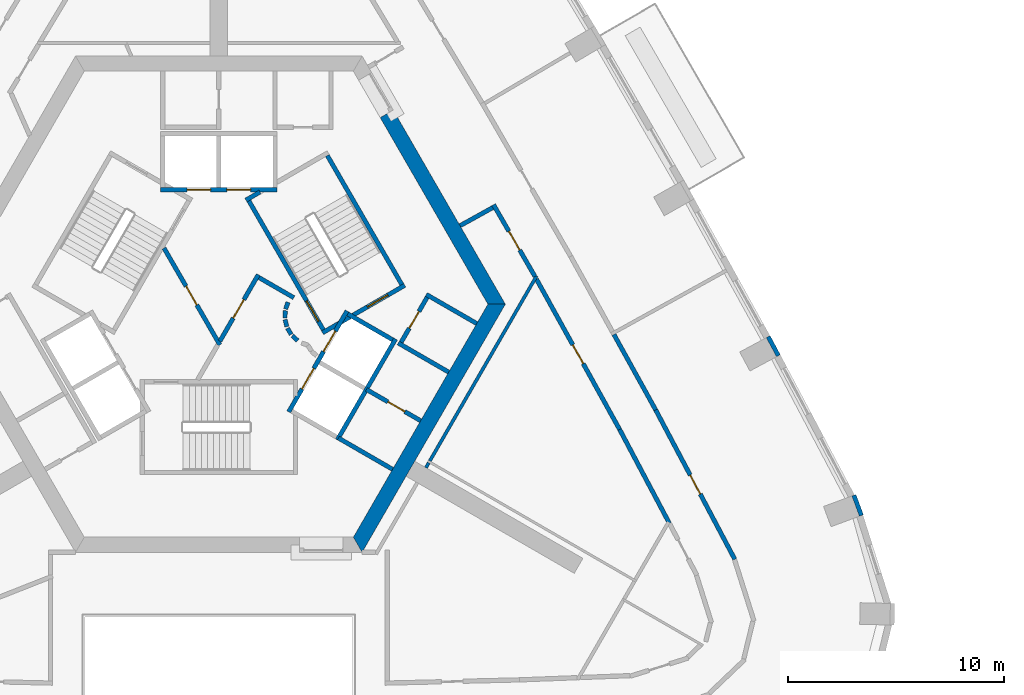
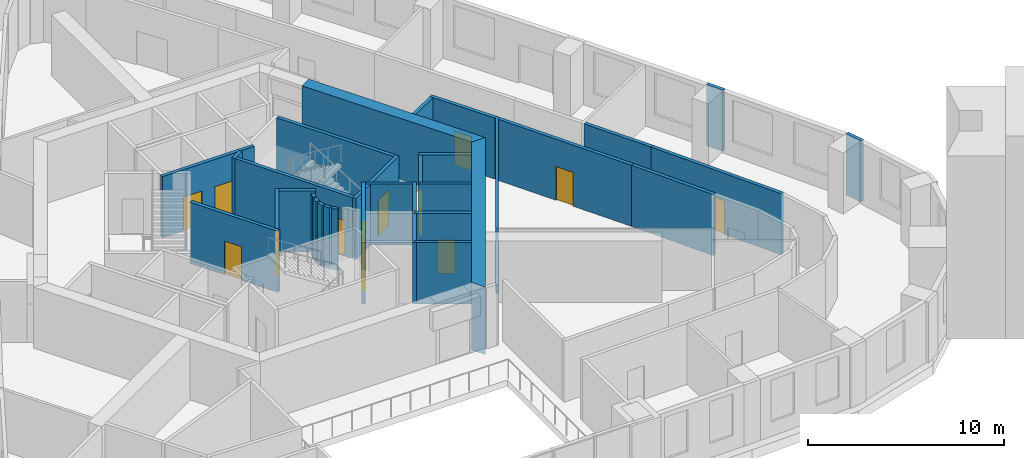
# One storey, part 7 of 13: 33 walls, 13 doors, 13 openings.
"""IFC4 building model written with IfcOpenShell, lengths in metres."""

from ifc_helpers import new_model, si_unit, direction, frame, frame_2d, origin, place, context, subcontext, project, spatial, polyline, rectangle, outline, extrude, material, layer, layer_set, type_object, element, fill, save


model = new_model("IFC4")

# Units and contexts
model_context = context("Model", 3, precision=1e-05, world=origin(), true_north=direction((0.0, 1.0)))
body_context = subcontext(model_context, "Body", "Model", "MODEL_VIEW")
ifc_project = project(units=[si_unit("LENGTHUNIT", "METRE"), si_unit("AREAUNIT", "SQUARE_METRE"), si_unit("VOLUMEUNIT", "CUBIC_METRE"), si_unit("PLANEANGLEUNIT", "RADIAN"), si_unit("MASSUNIT", "GRAM", prefix="KILO")], contexts=[model_context])

# Site, building, storey
site_placement = place(None, origin())
site = spatial("IfcSite", under=ifc_project, at=site_placement, CompositionType="ELEMENT")
building_placement = place(site_placement, origin())
building = spatial("IfcBuilding", under=site, at=building_placement, Name="Entoto Arch Interchange Tower", CompositionType="ELEMENT")
storey_placement = place(building_placement, frame((0.0, 0.0, 215.0)))
storey = spatial("IfcBuildingStorey", under=building, at=storey_placement, Name="L48", CompositionType="ELEMENT", Elevation=215.0)

# Walls
ifc_material_1 = material(Name="Concrete C50/60", Category="concrete")
ifc_layer_1 = layer(ifc_material_1, 0.699951171875)
ifc_layer_set_1 = layer_set([ifc_layer_1], Name="Concrete C50/60")
wall_type_1 = type_object("IfcWallType", Name="Core wall 700 C50/60", PredefinedType="SHEAR", material=ifc_layer_set_1)
wall_1_placement = place(storey_placement, frame((0.0, 0.0, -0.39990234375)))
element("IfcWall", 1, at=wall_1_placement, inside=storey, type_object=wall_type_1, Name="Core wall NE L48", PredefinedType="SHEAR", context=body_context, shape_type="SweptSolid", body=[
    extrude(outline(polyline([(8.083984375, 11.498046875), (7.47802734375, 11.14794921875), (12.470947265625, 2.5), (13.279052734375, 2.5), (8.083984375, 11.498046875)])), origin(), (0.0, 0.0, 1.0), 4.199951171875),
])
wall_2_placement = place(storey_placement, frame((0.0, 0.0, -0.39990234375)))
element("IfcWall", 2, at=wall_2_placement, inside=storey, type_object=wall_type_1, Name="Core wall SE L48", PredefinedType="SHEAR", context=body_context, shape_type="SweptSolid", body=[
    extrude(outline(polyline([(6.639892578125, -9.0), (13.279052734375, 2.5), (12.470947265625, 2.5), (6.235107421875, -8.300048828125), (6.639892578125, -9.0)])), origin(), (0.0, 0.0, 1.0), 4.199951171875),
])

# Wall, openings, doors
ifc_material_2 = material(Name="Concrete C40/50", Category="concrete")
ifc_layer_2 = layer(ifc_material_2, 0.199951171875)
ifc_layer_set_2 = layer_set([ifc_layer_2], Name="Concrete C40/50")
wall_type_2 = type_object("IfcWallType", Name="LIFT SHAFT WALL 200", PredefinedType="STANDARD", material=ifc_layer_set_2)
wall_3_placement = place(storey_placement, frame((2.699951171875, 7.800048828125, 0.0), z_axis=(0.0, 0.0, 1.0), x_axis=(-1.0, 0.0, 0.0)))
wall_3 = element("IfcWall", 3, at=wall_3_placement, inside=storey, type_object=wall_type_2, Name="Shaft wall N1 front", PredefinedType="STANDARD", context=body_context, shape_type="SweptSolid", body=[
    extrude(rectangle(XDim=5.39990234375, YDim=0.199951171875, at=frame_2d((2.699951171875, 0.0))), origin(), (0.0, 0.0, 1.0), 3.800048828125),
])
opening_1_placement = place(wall_3_placement, frame((1.22509765625, 0.0, 0.0)))
opening_1 = element("IfcOpeningElement", 4, at=opening_1_placement, cuts=wall_3, Name="Opening LD-HR1-L48", PredefinedType="OPENING", context=body_context, shape_type="SweptSolid", body=[
    extrude(rectangle(XDim=1.10009765625, YDim=2.10009765625, at=frame_2d((0.550048828125, 1.050048828125))), frame((0.0, 0.10986328125, 0.0), z_axis=(0.0, -1.0, 0.0), x_axis=(1.0, 0.0, 0.0)), (0.0, 0.0, 1.0), 0.219970703125),
])
opening_2_placement = place(wall_3_placement, frame((3.074951171875, 0.0, 0.0)))
opening_2 = element("IfcOpeningElement", 5, at=opening_2_placement, cuts=wall_3, Name="Opening LD-HR2-L48", PredefinedType="OPENING", context=body_context, shape_type="SweptSolid", body=[
    extrude(rectangle(XDim=1.10009765625, YDim=2.10009765625, at=frame_2d((0.550048828125, 1.050048828125))), frame((0.0, 0.10986328125, 0.0), z_axis=(0.0, -1.0, 0.0), x_axis=(1.0, 0.0, 0.0)), (0.0, 0.0, 1.0), 0.219970703125),
])
ifc_material_3 = material(Name="Stainless steel 1.4301 panels", Category="steel")
door_type_1 = type_object("IfcDoorType", Name="LIFT LANDING DOOR LD1 1100x2100", OperationType="SLIDING_TO_LEFT", PredefinedType="DOOR", material=ifc_material_3)
door_1_placement = place(opening_1_placement, origin())
door_1 = element("IfcDoor", 6, at=door_1_placement, inside=storey, type_object=door_type_1, Name="Lift landing door HR1 L48", OperationType="SLIDING_TO_LEFT", OverallHeight=2.10009765625, OverallWidth=1.10009765625, PredefinedType="DOOR", context=body_context, shape_type="SweptSolid", body=[
    extrude(rectangle(XDim=1.10009765625, YDim=2.10009765625, at=frame_2d((0.550048828125, 1.050048828125))), frame((0.0, 0.02490234375, 0.0), z_axis=(0.0, -1.0, 0.0), x_axis=(1.0, 0.0, 0.0)), (0.0, 0.0, 1.0), 0.050048828125),
])
fill(opening_1, door_1)
door_2_placement = place(opening_2_placement, origin())
door_2 = element("IfcDoor", 7, at=door_2_placement, inside=storey, type_object=door_type_1, Name="Lift landing door HR2 L48", OperationType="SLIDING_TO_LEFT", OverallHeight=2.10009765625, OverallWidth=1.10009765625, PredefinedType="DOOR", context=body_context, shape_type="SweptSolid", body=[
    extrude(rectangle(XDim=1.10009765625, YDim=2.10009765625, at=frame_2d((0.550048828125, 1.050048828125))), frame((0.0, 0.02490234375, 0.0), z_axis=(0.0, -1.0, 0.0), x_axis=(1.0, 0.0, 0.0)), (0.0, 0.0, 1.0), 0.050048828125),
])
fill(opening_2, door_2)

wall_4_placement = place(storey_placement, frame((3.239990234375, -2.488037109375, 0.0), z_axis=(0.0, 0.0, 1.0), x_axis=(0.500034260056, 0.866005622828, 0.0)))
wall_4 = element("IfcWall", 8, at=wall_4_placement, inside=storey, type_object=wall_type_2, Name="Shaft wall SE1 front", PredefinedType="STANDARD", context=body_context, shape_type="SweptSolid", body=[
    extrude(rectangle(XDim=5.3994140625, YDim=0.199951171875, at=frame_2d((2.69970703125, 0.0))), origin(), (0.0, 0.0, 1.0), 3.800048828125),
])
opening_3_placement = place(wall_4_placement, frame((3.22509765625, 0.0, 0.0)))
opening_3 = element("IfcOpeningElement", 9, at=opening_3_placement, cuts=wall_4, Name="Opening LD-HR3-L48", PredefinedType="OPENING", context=body_context, shape_type="SweptSolid", body=[
    extrude(rectangle(XDim=1.10009765625, YDim=2.10009765625, at=frame_2d((0.550048828125, 1.050048828125))), frame((0.0, 0.10986328125, 0.0), z_axis=(0.0, -1.0, 0.0), x_axis=(1.0, 0.0, 0.0)), (0.0, 0.0, 1.0), 0.219970703125),
])
opening_4_placement = place(wall_4_placement, frame((1.22509765625, 0.0, 0.0)))
opening_4 = element("IfcOpeningElement", 10, at=opening_4_placement, cuts=wall_4, Name="Opening LD-FF1-L48", PredefinedType="OPENING", context=body_context, shape_type="SweptSolid", body=[
    extrude(rectangle(XDim=1.10009765625, YDim=2.10009765625, at=frame_2d((0.550048828125, 1.050048828125))), frame((0.0, 0.10986328125, 0.0), z_axis=(0.0, -1.0, 0.0), x_axis=(1.0, 0.0, 0.0)), (0.0, 0.0, 1.0), 0.219970703125),
])
door_3_placement = place(opening_3_placement, origin())
door_3 = element("IfcDoor", 11, at=door_3_placement, inside=storey, type_object=door_type_1, Name="Lift landing door HR3 L48", OperationType="SLIDING_TO_LEFT", OverallHeight=2.10009765625, OverallWidth=1.10009765625, PredefinedType="DOOR", context=body_context, shape_type="SweptSolid", body=[
    extrude(rectangle(XDim=1.10009765625, YDim=2.10009765625, at=frame_2d((0.550048828125, 1.050048828125))), frame((0.0, 0.02490234375, 0.0), z_axis=(0.0, -1.0, 0.0), x_axis=(1.0, 0.0, 0.0)), (0.0, 0.0, 1.0), 0.050048828125),
])
fill(opening_3, door_3)
door_4_placement = place(opening_4_placement, origin())
door_4 = element("IfcDoor", 12, at=door_4_placement, inside=storey, type_object=door_type_1, Name="Lift landing door FF1 L48", OperationType="SLIDING_TO_LEFT", OverallHeight=2.10009765625, OverallWidth=1.10009765625, PredefinedType="DOOR", context=body_context, shape_type="SweptSolid", body=[
    extrude(rectangle(XDim=1.10009765625, YDim=2.10009765625, at=frame_2d((0.550048828125, 1.050048828125))), frame((0.0, 0.02490234375, 0.0), z_axis=(0.0, -1.0, 0.0), x_axis=(1.0, 0.0, 0.0)), (0.0, 0.0, 1.0), 0.050048828125),
])
fill(opening_4, door_4)

# Walls
wall_5_placement = place(storey_placement, frame((5.491943359375, -3.7880859375, 0.0), z_axis=(0.0, 0.0, 1.0), x_axis=(0.500034260056, 0.866005622828, 0.0)))
element("IfcWall", 13, at=wall_5_placement, inside=storey, type_object=wall_type_2, Name="Shaft wall SE1 back", PredefinedType="STANDARD", context=body_context, shape_type="SweptSolid", body=[
    extrude(rectangle(XDim=5.3994140625, YDim=0.199951171875, at=frame_2d((2.69970703125, 0.0))), origin(), (0.0, 0.0, 1.0), 3.800048828125),
])
wall_6_placement = place(storey_placement, frame((5.97705078125, 2.052001953125, 0.0), z_axis=(0.0, 0.0, 1.0), x_axis=(0.865973769406, -0.500089422704, 0.0)))
element("IfcWall", 14, at=wall_6_placement, inside=storey, type_object=wall_type_2, Name="Shaft wall SE1 cross 3", PredefinedType="STANDARD", context=body_context, shape_type="SweptSolid", body=[
    extrude(rectangle(XDim=2.3994140625, YDim=0.199951171875, at=frame_2d((1.19970703125, 0.0))), origin(), (0.0, 0.0, 1.0), 3.800048828125),
])
ifc_material_4 = material(Name="Gypsum board partition on steel studs", Category="steel")
ifc_layer_3 = layer(ifc_material_4, 0.14990234375)
ifc_layer_set_3 = layer_set([ifc_layer_3], Name="Gypsum board partition on steel studs")
wall_type_3 = type_object("IfcWallType", Name="PARTITION 150", PredefinedType="PARTITIONING", material=ifc_layer_set_3)
wall_7_placement = place(storey_placement, frame((9.779052734375, -4.761962890625, 0.0), z_axis=(0.0, 0.0, 1.0), x_axis=(0.499990552429, 0.866030858274, 0.0)))
element("IfcWall", 15, at=wall_7_placement, inside=storey, type_object=wall_type_3, Name="wall:L48:p088", PredefinedType="PARTITIONING", context=body_context, shape_type="SweptSolid", body=[
    extrude(rectangle(XDim=9.906005859375, YDim=0.14990234375, at=frame_2d((4.953125, 0.0))), origin(), (0.0, 0.0, 1.0), 3.800048828125),
])
wall_8_placement = place(storey_placement, frame((9.595947265625, -5.0791015625, 0.0), z_axis=(0.0, 0.0, 1.0), x_axis=(0.500782702656, 0.865573038351, 0.0)))
element("IfcWall", 16, at=wall_8_placement, inside=storey, type_object=wall_type_3, Name="wall:L48:p087", PredefinedType="PARTITIONING", context=body_context, shape_type="SweptSolid", body=[
    extrude(rectangle(XDim=0.265625, YDim=0.14990234375, at=frame_2d((0.1328125, 0.0))), origin(), (0.0, 0.0, 1.0), 3.800048828125),
])

# Wall, opening, door
ifc_layer_4 = layer(ifc_material_4, 0.199951171875)
ifc_layer_set_4 = layer_set([ifc_layer_4], Name="Gypsum board partition on steel studs")
wall_type_4 = type_object("IfcWallType", Name="PARTITION 200", PredefinedType="PARTITIONING", material=ifc_layer_set_4)
wall_9_placement = place(storey_placement, frame((14.652099609375, 3.782958984375, 0.0), z_axis=(0.0, 0.0, 1.0), x_axis=(-0.499821427992, 0.866128477837, 0.0)))
wall_9 = element("IfcWall", 17, at=wall_9_placement, inside=storey, type_object=wall_type_4, Name="wall:L48:p004", PredefinedType="PARTITIONING", context=body_context, shape_type="SweptSolid", body=[
    extrude(rectangle(XDim=3.84375, YDim=0.199951171875, at=frame_2d((1.921875, 0.0))), origin(), (0.0, 0.0, 1.0), 3.800048828125),
])
opening_5_placement = place(wall_9_placement, frame((1.4208984375, 0.0, 0.0)))
opening_5 = element("IfcOpeningElement", 18, at=opening_5_placement, cuts=wall_9, Name="Opening L48-D27", PredefinedType="OPENING", context=body_context, shape_type="SweptSolid", body=[
    extrude(rectangle(XDim=1.0, YDim=2.10009765625, at=frame_2d((0.5, 1.050048828125))), frame((0.0, 0.10986328125, 0.0), z_axis=(0.0, -1.0, 0.0), x_axis=(1.0, 0.0, 0.0)), (0.0, 0.0, 1.0), 0.219970703125),
])
ifc_material_5 = material(Name="Timber door leaf in Steel S235 frame", Category="steel")
door_type_2 = type_object("IfcDoorType", Name="DOOR DS-10 1000x2100", OperationType="SINGLE_SWING_LEFT", PredefinedType="DOOR", material=ifc_material_5)
door_5_placement = place(opening_5_placement, origin())
door_5 = element("IfcDoor", 19, at=door_5_placement, inside=storey, type_object=door_type_2, Name="door:L48:27", OperationType="SINGLE_SWING_LEFT", OverallHeight=2.10009765625, OverallWidth=1.0, PredefinedType="DOOR", context=body_context, shape_type="SweptSolid", body=[
    extrude(rectangle(XDim=1.0, YDim=2.10009765625, at=frame_2d((0.5, 1.050048828125))), frame((0.0, 0.02490234375, 0.0), z_axis=(0.0, -1.0, 0.0), x_axis=(1.0, 0.0, 0.0)), (0.0, 0.0, 1.0), 0.050048828125),
])
fill(opening_5, door_5)

# Walls
wall_10_placement = place(storey_placement, frame((12.693115234375, 6.97607421875, 0.0), z_axis=(0.0, 0.0, 1.0), x_axis=(-0.874908151187, -0.484288887944, 0.0)))
element("IfcWall", 20, at=wall_10_placement, inside=storey, type_object=wall_type_4, Name="wall:L48:p005", PredefinedType="PARTITIONING", context=body_context, shape_type="SweptSolid", body=[
    extrude(rectangle(XDim=1.730712890625, YDim=0.199951171875, at=frame_2d((0.865234375, 0.0))), origin(), (0.0, 0.0, 1.0), 3.800048828125),
])
wall_11_placement = place(storey_placement, frame((20.882080078125, -7.658935546875, 0.0), z_axis=(0.0, 0.0, 1.0), x_axis=(-0.468206254133, 0.883619207346, 0.0)))
element("IfcWall", 21, at=wall_11_placement, inside=storey, type_object=wall_type_4, Name="wall:L48:p016", PredefinedType="PARTITIONING", context=body_context, shape_type="SweptSolid", body=[
    extrude(rectangle(XDim=4.9296875, YDim=0.199951171875, at=frame_2d((2.46484375, 0.0))), origin(), (0.0, 0.0, 1.0), 3.800048828125),
])

# Wall, opening, door
wall_12_placement = place(storey_placement, frame((18.573974609375, -3.302978515625, 0.0), z_axis=(0.0, 0.0, 1.0), x_axis=(-0.484239190765, 0.874935658279, 0.0)))
wall_12 = element("IfcWall", 22, at=wall_12_placement, inside=storey, type_object=wall_type_4, Name="wall:L48:p017", PredefinedType="PARTITIONING", context=body_context, shape_type="SweptSolid", body=[
    extrude(rectangle(XDim=7.962890625, YDim=0.199951171875, at=frame_2d((3.9814453125, 0.0))), origin(), (0.0, 0.0, 1.0), 3.800048828125),
])
opening_6_placement = place(wall_12_placement, frame((3.48193359375, 0.0, 0.0)))
opening_6 = element("IfcOpeningElement", 23, at=opening_6_placement, cuts=wall_12, Name="Opening L48-D17", PredefinedType="OPENING", context=body_context, shape_type="SweptSolid", body=[
    extrude(rectangle(XDim=1.0, YDim=2.10009765625, at=frame_2d((0.5, 1.050048828125))), frame((0.0, 0.10986328125, 0.0), z_axis=(0.0, -1.0, 0.0), x_axis=(1.0, 0.0, 0.0)), (0.0, 0.0, 1.0), 0.219970703125),
])
door_6_placement = place(opening_6_placement, origin())
door_6 = element("IfcDoor", 24, at=door_6_placement, inside=storey, type_object=door_type_2, Name="door:L48:17", OperationType="SINGLE_SWING_LEFT", OverallHeight=2.10009765625, OverallWidth=1.0, PredefinedType="DOOR", context=body_context, shape_type="SweptSolid", body=[
    extrude(rectangle(XDim=1.0, YDim=2.10009765625, at=frame_2d((0.5, 1.050048828125))), frame((0.0, 0.02490234375, 0.0), z_axis=(0.0, -1.0, 0.0), x_axis=(1.0, 0.0, 0.0)), (0.0, 0.0, 1.0), 0.050048828125),
])
fill(opening_6, door_6)

# Wall
wall_13_placement = place(storey_placement, frame((18.31201171875, 1.093994140625, 0.0), z_axis=(0.0, 0.0, 1.0), x_axis=(0.484328424129, -0.874886265511, 0.0)))
element("IfcWall", 25, at=wall_13_placement, inside=storey, type_object=wall_type_4, Name="wall:L48:p037", PredefinedType="PARTITIONING", context=body_context, shape_type="SweptSolid", body=[
    extrude(rectangle(XDim=3.9912109375, YDim=0.199951171875, at=frame_2d((1.99560546875, 0.0))), origin(), (0.0, 0.0, 1.0), 3.800048828125),
])

# Wall, opening, door
wall_14_placement = place(storey_placement, frame((20.2451171875, -2.39794921875, 0.0), z_axis=(0.0, 0.0, 1.0), x_axis=(0.468063775621, -0.883694688199, 0.0)))
wall_14 = element("IfcWall", 26, at=wall_14_placement, inside=storey, type_object=wall_type_4, Name="wall:L48:p038", PredefinedType="PARTITIONING", context=body_context, shape_type="SweptSolid", body=[
    extrude(rectangle(XDim=7.83642578125, YDim=0.199951171875, at=frame_2d((3.918212890625, 0.0))), origin(), (0.0, 0.0, 1.0), 3.800048828125),
])
opening_7_placement = place(wall_14_placement, frame((3.41796875, 0.0, 0.0)))
opening_7 = element("IfcOpeningElement", 27, at=opening_7_placement, cuts=wall_14, Name="Opening L48-D03", PredefinedType="OPENING", context=body_context, shape_type="SweptSolid", body=[
    extrude(rectangle(XDim=1.0, YDim=2.10009765625, at=frame_2d((0.5, 1.050048828125))), frame((0.0, 0.10986328125, 0.0), z_axis=(0.0, -1.0, 0.0), x_axis=(1.0, 0.0, 0.0)), (0.0, 0.0, 1.0), 0.219970703125),
])
door_7_placement = place(opening_7_placement, origin())
door_7 = element("IfcDoor", 28, at=door_7_placement, inside=storey, type_object=door_type_2, Name="door:L48:03", OperationType="SINGLE_SWING_LEFT", OverallHeight=2.10009765625, OverallWidth=1.0, PredefinedType="DOOR", context=body_context, shape_type="SweptSolid", body=[
    extrude(rectangle(XDim=1.0, YDim=2.10009765625, at=frame_2d((0.5, 1.050048828125))), frame((0.0, 0.02490234375, 0.0), z_axis=(0.0, -1.0, 0.0), x_axis=(1.0, 0.0, 0.0)), (0.0, 0.0, 1.0), 0.050048828125),
])
fill(opening_7, door_7)

# Wall
wall_15_placement = place(storey_placement, frame((8.052978515625, -5.152099609375, 0.0), z_axis=(0.0, 0.0, 1.0), x_axis=(-0.865808344015, 0.500375770231, 0.0)))
element("IfcWall", 29, at=wall_15_placement, inside=storey, type_object=wall_type_4, Name="wall:L48:p073", PredefinedType="PARTITIONING", context=body_context, shape_type="SweptSolid", body=[
    extrude(rectangle(XDim=2.900146484375, YDim=0.199951171875, at=frame_2d((1.4501953125, 0.0))), origin(), (0.0, 0.0, 1.0), 3.800048828125),
])

# Wall, opening, door
wall_16_placement = place(storey_placement, frame((6.841064453125, -1.450927734375, 0.0), z_axis=(0.0, 0.0, 1.0), x_axis=(0.866220623736, -0.499661716578, 0.0)))
wall_16 = element("IfcWall", 30, at=wall_16_placement, inside=storey, type_object=wall_type_4, Name="wall:L48:p074", PredefinedType="PARTITIONING", context=body_context, shape_type="SweptSolid", body=[
    extrude(rectangle(XDim=2.89990234375, YDim=0.199951171875, at=frame_2d((1.449951171875, 0.0))), origin(), (0.0, 0.0, 1.0), 3.800048828125),
])
opening_8_placement = place(wall_16_placement, frame((1.14990234375, 0.0, 0.0)))
opening_8 = element("IfcOpeningElement", 31, at=opening_8_placement, cuts=wall_16, Name="Opening L48-D32", PredefinedType="OPENING", context=body_context, shape_type="SweptSolid", body=[
    extrude(rectangle(XDim=0.89990234375, YDim=2.10009765625, at=frame_2d((0.449951171875, 1.050048828125))), frame((0.0, 0.10986328125, 0.0), z_axis=(0.0, -1.0, 0.0), x_axis=(1.0, 0.0, 0.0)), (0.0, 0.0, 1.0), 0.219970703125),
])
door_type_3 = type_object("IfcDoorType", Name="DOOR DS-09 900x2100", OperationType="SINGLE_SWING_LEFT", PredefinedType="DOOR", material=ifc_material_5)
door_8_placement = place(opening_8_placement, origin())
door_8 = element("IfcDoor", 32, at=door_8_placement, inside=storey, type_object=door_type_3, Name="door:L48:32", OperationType="SINGLE_SWING_LEFT", OverallHeight=2.10009765625, OverallWidth=0.89990234375, PredefinedType="DOOR", context=body_context, shape_type="SweptSolid", body=[
    extrude(rectangle(XDim=0.89990234375, YDim=2.10009765625, at=frame_2d((0.449951171875, 1.050048828125))), frame((0.0, 0.02490234375, 0.0), z_axis=(0.0, -1.0, 0.0), x_axis=(1.0, 0.0, 0.0)), (0.0, 0.0, 1.0), 0.050048828125),
])
fill(opening_8, door_8)

# Wall
wall_17_placement = place(storey_placement, frame((10.653076171875, -0.64794921875, 0.0), z_axis=(0.0, 0.0, 1.0), x_axis=(-0.866036505625, 0.499980770555, 0.0)))
element("IfcWall", 33, at=wall_17_placement, inside=storey, type_object=wall_type_4, Name="wall:L48:p075", PredefinedType="PARTITIONING", context=body_context, shape_type="SweptSolid", body=[
    extrude(rectangle(XDim=2.69970703125, YDim=0.199951171875, at=frame_2d((1.349853515625, 0.0))), origin(), (0.0, 0.0, 1.0), 3.800048828125),
])

# Wall, opening, door
wall_18_placement = place(storey_placement, frame((8.450927734375, 0.738037109375, 0.0), z_axis=(0.0, 0.0, 1.0), x_axis=(0.499913221443, 0.866075499611, 0.0)))
wall_18 = element("IfcWall", 34, at=wall_18_placement, inside=storey, type_object=wall_type_4, Name="wall:L48:p076", PredefinedType="PARTITIONING", context=body_context, shape_type="SweptSolid", body=[
    extrude(rectangle(XDim=2.400390625, YDim=0.199951171875, at=frame_2d((1.2001953125, 0.0))), origin(), (0.0, 0.0, 1.0), 3.800048828125),
])
opening_9_placement = place(wall_18_placement, frame((0.75, 0.0, 0.0)))
opening_9 = element("IfcOpeningElement", 35, at=opening_9_placement, cuts=wall_18, Name="Opening L48-D33", PredefinedType="OPENING", context=body_context, shape_type="SweptSolid", body=[
    extrude(rectangle(XDim=0.89990234375, YDim=2.10009765625, at=frame_2d((0.449951171875, 1.050048828125))), frame((0.0, 0.10986328125, 0.0), z_axis=(0.0, -1.0, 0.0), x_axis=(1.0, 0.0, 0.0)), (0.0, 0.0, 1.0), 0.219970703125),
])
door_9_placement = place(opening_9_placement, origin())
door_9 = element("IfcDoor", 36, at=door_9_placement, inside=storey, type_object=door_type_3, Name="door:L48:33", OperationType="SINGLE_SWING_LEFT", OverallHeight=2.10009765625, OverallWidth=0.89990234375, PredefinedType="DOOR", context=body_context, shape_type="SweptSolid", body=[
    extrude(rectangle(XDim=0.89990234375, YDim=2.10009765625, at=frame_2d((0.449951171875, 1.050048828125))), frame((0.0, 0.02490234375, 0.0), z_axis=(0.0, -1.0, 0.0), x_axis=(1.0, 0.0, 0.0)), (0.0, 0.0, 1.0), 0.050048828125),
])
fill(opening_9, door_9)

# Wall
wall_19_placement = place(storey_placement, frame((9.614990234375, 2.952880859375, 0.0), z_axis=(0.0, 0.0, 1.0), x_axis=(0.866013897511, -0.50001992892, 0.0)))
element("IfcWall", 37, at=wall_19_placement, inside=storey, type_object=wall_type_4, Name="wall:L48:p077", PredefinedType="PARTITIONING", context=body_context, shape_type="SweptSolid", body=[
    extrude(rectangle(XDim=2.69970703125, YDim=0.199951171875, at=frame_2d((1.349853515625, 0.0))), origin(), (0.0, 0.0, 1.0), 3.800048828125),
])

# Wall, opening, door
wall_20_placement = place(storey_placement, frame((0.050048828125, 0.787109375, 0.0), z_axis=(0.0, 0.0, 1.0), x_axis=(0.499954076797, 0.866051915934, 0.0)))
wall_20 = element("IfcWall", 38, at=wall_20_placement, inside=storey, type_object=wall_type_4, Name="wall:L48:p090", PredefinedType="PARTITIONING", context=body_context, shape_type="SweptSolid", body=[
    extrude(rectangle(XDim=3.558349609375, YDim=0.199951171875, at=frame_2d((1.779296875, 0.0))), origin(), (0.0, 0.0, 1.0), 3.800048828125),
])
opening_10_placement = place(wall_20_placement, frame((1.22900390625, 0.0, 0.0)))
opening_10 = element("IfcOpeningElement", 39, at=opening_10_placement, cuts=wall_20, Name="Opening L48-D28", PredefinedType="OPENING", context=body_context, shape_type="SweptSolid", body=[
    extrude(rectangle(XDim=1.0, YDim=2.10009765625, at=frame_2d((0.5, 1.050048828125))), frame((0.0, 0.10986328125, 0.0), z_axis=(0.0, -1.0, 0.0), x_axis=(1.0, 0.0, 0.0)), (0.0, 0.0, 1.0), 0.219970703125),
])
ifc_material_6 = material(Name="Fire-rated Steel S235 door and frame", Category="steel")
door_type_4 = type_object("IfcDoorType", Name="DOOR FD-10 1000x2100", OperationType="SINGLE_SWING_LEFT", PredefinedType="DOOR", material=ifc_material_6)
door_10_placement = place(opening_10_placement, origin())
door_10 = element("IfcDoor", 40, at=door_10_placement, inside=storey, type_object=door_type_4, Name="door:L48:28", OperationType="SINGLE_SWING_RIGHT", OverallHeight=2.10009765625, OverallWidth=1.0, PredefinedType="DOOR", context=body_context, shape_type="SweptSolid", body=[
    extrude(rectangle(XDim=1.0, YDim=2.10009765625, at=frame_2d((0.5, 1.050048828125))), frame((0.0, 0.02490234375, 0.0), z_axis=(0.0, -1.0, 0.0), x_axis=(1.0, 0.0, 0.0)), (0.0, 0.0, 1.0), 0.050048828125),
])
fill(opening_10, door_10)

# Walls
wall_21_placement = place(storey_placement, frame((1.865966796875, 3.73193359375, 0.0), z_axis=(0.0, 0.0, 1.0), x_axis=(0.866043361281, -0.499968895414, 0.0)))
element("IfcWall", 41, at=wall_21_placement, inside=storey, type_object=wall_type_4, Name="wall:L48:p091", PredefinedType="PARTITIONING", context=body_context, shape_type="SweptSolid", body=[
    extrude(rectangle(XDim=1.85791015625, YDim=0.199951171875, at=frame_2d((0.928955078125, 0.0))), origin(), (0.0, 0.0, 1.0), 3.800048828125),
])
wall_22_placement = place(storey_placement, frame((3.2080078125, 2.592041015625, 0.0), z_axis=(0.0, 0.0, 1.0), x_axis=(-0.337388820924, -0.941365382578, 0.0)))
element("IfcWall", 42, at=wall_22_placement, inside=storey, type_object=wall_type_4, Name="wall:L48:p092", PredefinedType="PARTITIONING", context=body_context, shape_type="SweptSolid", body=[
    extrude(rectangle(XDim=0.337890625, YDim=0.199951171875, at=frame_2d((0.1689453125, 0.0))), origin(), (0.0, 0.0, 1.0), 3.800048828125),
])
wall_23_placement = place(storey_placement, frame((3.0791015625, 2.198974609375, 0.0), z_axis=(0.0, 0.0, 1.0), x_axis=(-0.047771483479, -0.998858290933, 0.0)))
element("IfcWall", 43, at=wall_23_placement, inside=storey, type_object=wall_type_4, Name="wall:L48:p093", PredefinedType="PARTITIONING", context=body_context, shape_type="SweptSolid", body=[
    extrude(rectangle(XDim=0.33740234375, YDim=0.199951171875, at=frame_2d((0.168701171875, 0.0))), origin(), (0.0, 0.0, 1.0), 3.800048828125),
])
wall_24_placement = place(storey_placement, frame((3.070068359375, 1.785888671875, 0.0), z_axis=(0.0, 0.0, 1.0), x_axis=(0.242705583207, -0.970099994784, 0.0)))
element("IfcWall", 44, at=wall_24_placement, inside=storey, type_object=wall_type_4, Name="wall:L48:p094", PredefinedType="PARTITIONING", context=body_context, shape_type="SweptSolid", body=[
    extrude(rectangle(XDim=0.337890625, YDim=0.199951171875, at=frame_2d((0.1689453125, 0.0))), origin(), (0.0, 0.0, 1.0), 3.800048828125),
])
for number, where, z_axis, x_axis, name in (
    (45, (3.181884765625, 1.387939453125, 0.0), (0.0, 0.0, 1.0), (0.512474702713, -0.85870232274, 0.0), "wall:L48:p095"),
    (46, (3.404052734375, 1.0390625, 0.0), (0.0, 0.0, 1.0), (0.740267097712, -0.672312891476, 0.0), "wall:L48:p096"),
):
    element("IfcWall", number, at=place(storey_placement, frame(where, z_axis=z_axis, x_axis=x_axis)), inside=storey, type_object=wall_type_4, Name=name, PredefinedType="PARTITIONING", context=body_context, shape_type="SweptSolid", body=[
        extrude(rectangle(XDim=0.337646484375, YDim=0.199951171875, at=frame_2d((0.1689453125, 0.0))), origin(), (0.0, 0.0, 1.0), 3.800048828125),
    ])

# Wall, opening, door
wall_25_placement = place(storey_placement, frame((-2.5400390625, 5.10009765625, 0.0), z_axis=(0.0, 0.0, 1.0), x_axis=(0.499925051871, -0.866068670783, 0.0)))
wall_25 = element("IfcWall", 47, at=wall_25_placement, inside=storey, type_object=wall_type_4, Name="wall:L48:p100", PredefinedType="PARTITIONING", context=body_context, shape_type="SweptSolid", body=[
    extrude(rectangle(XDim=5.180908203125, YDim=0.199951171875, at=frame_2d((2.59033203125, 0.0))), origin(), (0.0, 0.0, 1.0), 3.800048828125),
])
opening_11_placement = place(wall_25_placement, frame((2.0400390625, 0.0, 0.0)))
opening_11 = element("IfcOpeningElement", 48, at=opening_11_placement, cuts=wall_25, Name="Opening L48-D29", PredefinedType="OPENING", context=body_context, shape_type="SweptSolid", body=[
    extrude(rectangle(XDim=1.0, YDim=2.10009765625, at=frame_2d((0.5, 1.050048828125))), frame((0.0, 0.10986328125, 0.0), z_axis=(0.0, -1.0, 0.0), x_axis=(1.0, 0.0, 0.0)), (0.0, 0.0, 1.0), 0.219970703125),
])
door_11_placement = place(opening_11_placement, origin())
door_11 = element("IfcDoor", 49, at=door_11_placement, inside=storey, type_object=door_type_4, Name="door:L48:29", OperationType="SINGLE_SWING_RIGHT", OverallHeight=2.10009765625, OverallWidth=1.0, PredefinedType="DOOR", context=body_context, shape_type="SweptSolid", body=[
    extrude(rectangle(XDim=1.0, YDim=2.10009765625, at=frame_2d((0.5, 1.050048828125))), frame((0.0, 0.02490234375, 0.0), z_axis=(0.0, -1.0, 0.0), x_axis=(1.0, 0.0, 0.0)), (0.0, 0.0, 1.0), 0.050048828125),
])
fill(opening_11, door_11)

ifc_layer_5 = layer(ifc_material_2, 0.199951171875)
ifc_layer_set_5 = layer_set([ifc_layer_5], Name="Concrete C40/50")
wall_type_5 = type_object("IfcWallType", Name="STAIR ENCLOSURE WALL 200", PredefinedType="STANDARD", material=ifc_layer_set_5)
wall_26_placement = place(storey_placement, frame((4.805908203125, 1.176025390625, 0.0), z_axis=(0.0, 0.0, 1.0), x_axis=(0.866059941101, 0.499940174841, 0.0)))
wall_26 = element("IfcWall", 50, at=wall_26_placement, inside=storey, type_object=wall_type_5, Name="Stair wall ST-NE near", PredefinedType="STANDARD", context=body_context, shape_type="SweptSolid", body=[
    extrude(rectangle(XDim=4.400390625, YDim=0.199951171875, at=frame_2d((2.2001953125, 0.0))), origin(), (0.0, 0.0, 1.0), 3.800048828125),
])
opening_12_placement = place(wall_26_placement, frame((2.39990234375, 0.0, 0.0)))
opening_12 = element("IfcOpeningElement", 51, at=opening_12_placement, cuts=wall_26, Name="Opening SD-ST-NE-L48-E", PredefinedType="OPENING", context=body_context, shape_type="SweptSolid", body=[
    extrude(rectangle(XDim=1.10009765625, YDim=2.199951171875, at=frame_2d((0.550048828125, 1.10009765625))), frame((0.0, 0.10986328125, 0.0), z_axis=(0.0, -1.0, 0.0), x_axis=(1.0, 0.0, 0.0)), (0.0, 0.0, 1.0), 0.219970703125),
])
ifc_material_7 = material(Name="Steel S235", Category="steel")
door_type_5 = type_object("IfcDoorType", Name="STAIR DOOR SD1 1100x2200", OperationType="SINGLE_SWING_LEFT", PredefinedType="DOOR", material=ifc_material_7)
door_12_placement = place(opening_12_placement, origin())
door_12 = element("IfcDoor", 52, at=door_12_placement, inside=storey, type_object=door_type_5, Name="Stair door ST-NE L48 end", OperationType="SINGLE_SWING_LEFT", OverallHeight=2.199951171875, OverallWidth=1.10009765625, PredefinedType="DOOR", context=body_context, shape_type="SweptSolid", body=[
    extrude(rectangle(XDim=1.10009765625, YDim=2.199951171875, at=frame_2d((0.550048828125, 1.10009765625))), frame((0.0, 0.02490234375, 0.0), z_axis=(0.0, -1.0, 0.0), x_axis=(1.0, 0.0, 0.0)), (0.0, 0.0, 1.0), 0.050048828125),
])
fill(opening_12, door_12)

# Wall
wall_27_placement = place(storey_placement, frame((1.256103515625, 7.323974609375, 0.0), z_axis=(0.0, 0.0, 1.0), x_axis=(0.865915093549, 0.500191014278, 0.0)))
element("IfcWall", 53, at=wall_27_placement, inside=storey, type_object=wall_type_5, Name="Stair wall ST-NE far return", PredefinedType="STANDARD", context=body_context, shape_type="SweptSolid", body=[
    extrude(rectangle(XDim=0.751708984375, YDim=0.199951171875, at=frame_2d((0.3759765625, 0.0))), origin(), (0.0, 0.0, 1.0), 3.800048828125),
])

# Wall, opening, door
wall_28_placement = place(storey_placement, frame((4.843017578125, 1.31201171875, 0.0), z_axis=(0.0, 0.0, 1.0), x_axis=(-0.499963383562, 0.866046543262, 0.0)))
wall_28 = element("IfcWall", 54, at=wall_28_placement, inside=storey, type_object=wall_type_5, Name="Stair wall ST-NE hall", PredefinedType="STANDARD", context=body_context, shape_type="SweptSolid", body=[
    extrude(rectangle(XDim=6.900390625, YDim=0.199951171875, at=frame_2d((3.4501953125, 0.0))), origin(), (0.0, 0.0, 1.0), 3.800048828125),
])
opening_13_placement = place(wall_28_placement, frame((0.449951171875, 0.0, 0.0)))
opening_13 = element("IfcOpeningElement", 55, at=opening_13_placement, cuts=wall_28, Name="Opening SD-ST-NE-L48", PredefinedType="OPENING", context=body_context, shape_type="SweptSolid", body=[
    extrude(rectangle(XDim=1.10009765625, YDim=2.199951171875, at=frame_2d((0.550048828125, 1.10009765625))), frame((0.0, 0.10986328125, 0.0), z_axis=(0.0, -1.0, 0.0), x_axis=(1.0, 0.0, 0.0)), (0.0, 0.0, 1.0), 0.219970703125),
])
door_13_placement = place(opening_13_placement, origin())
door_13 = element("IfcDoor", 56, at=door_13_placement, inside=storey, type_object=door_type_5, Name="Stair door ST-NE L48", OperationType="SINGLE_SWING_LEFT", OverallHeight=2.199951171875, OverallWidth=1.10009765625, PredefinedType="DOOR", context=body_context, shape_type="SweptSolid", body=[
    extrude(rectangle(XDim=1.10009765625, YDim=2.199951171875, at=frame_2d((0.550048828125, 1.10009765625))), frame((0.0, 0.02490234375, 0.0), z_axis=(0.0, -1.0, 0.0), x_axis=(1.0, 0.0, 0.0)), (0.0, 0.0, 1.0), 0.050048828125),
])
fill(opening_13, door_13)

# Walls
wall_29_placement = place(storey_placement, frame((8.47998046875, 3.412109375, 0.0), z_axis=(0.0, 0.0, 1.0), x_axis=(-0.499978703459, 0.866037698999, 0.0)))
element("IfcWall", 57, at=wall_29_placement, inside=storey, type_object=wall_type_5, Name="Stair wall ST-NE back", PredefinedType="STANDARD", context=body_context, shape_type="SweptSolid", body=[
    extrude(rectangle(XDim=6.900146484375, YDim=0.199951171875, at=frame_2d((3.4501953125, 0.0))), origin(), (0.0, 0.0, 1.0), 3.800048828125),
])
ifc_material_8 = material(Name="Welded tuff (ignimbrite) cladding, warm buff", Category="masonry")
ifc_layer_6 = layer(ifc_material_8, 0.199951171875)
ifc_layer_set_6 = layer_set([ifc_layer_6], Name="Welded tuff (ignimbrite) cladding, warm buff")
wall_type_6 = type_object("IfcWallType", Name="STONE PIER CLADDING 200", PredefinedType="STANDARD", material=ifc_layer_set_6)
wall_30_placement = place(storey_placement, frame((29.780029296875, -7.2919921875, 0.0), z_axis=(0.0, 0.0, 1.0), x_axis=(-0.346892928577, 0.937904737222, 0.0)))
element("IfcWall", 58, at=wall_30_placement, inside=storey, type_object=wall_type_6, Name="Stone pier NE01 L48", PredefinedType="STANDARD", context=body_context, shape_type="SweptSolid", body=[
    extrude(rectangle(XDim=1.0, YDim=0.199951171875, at=frame_2d((0.5, 0.0))), origin(), (0.0, 0.0, 1.0), 3.800048828125),
])
wall_31_placement = place(storey_placement, frame((25.93408203125, 0.114013671875, 0.0), z_axis=(0.0, 0.0, 1.0), x_axis=(-0.473852444207, 0.880604259085, 0.0)))
element("IfcWall", 59, at=wall_31_placement, inside=storey, type_object=wall_type_6, Name="Stone pier NE02 L48", PredefinedType="STANDARD", context=body_context, shape_type="SweptSolid", body=[
    extrude(rectangle(XDim=1.00048828125, YDim=0.199951171875, at=frame_2d((0.500244140625, 0.0))), origin(), (0.0, 0.0, 1.0), 3.800048828125),
])

save(model, "model.ifc")
